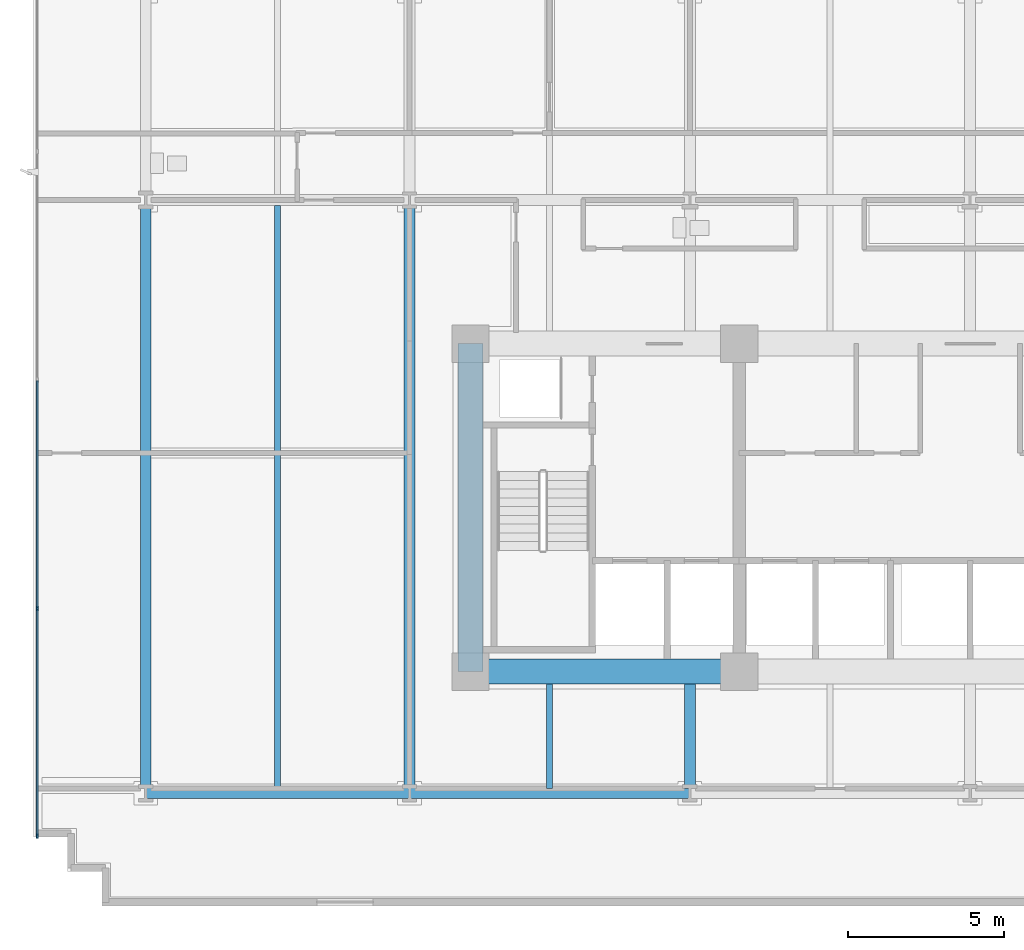
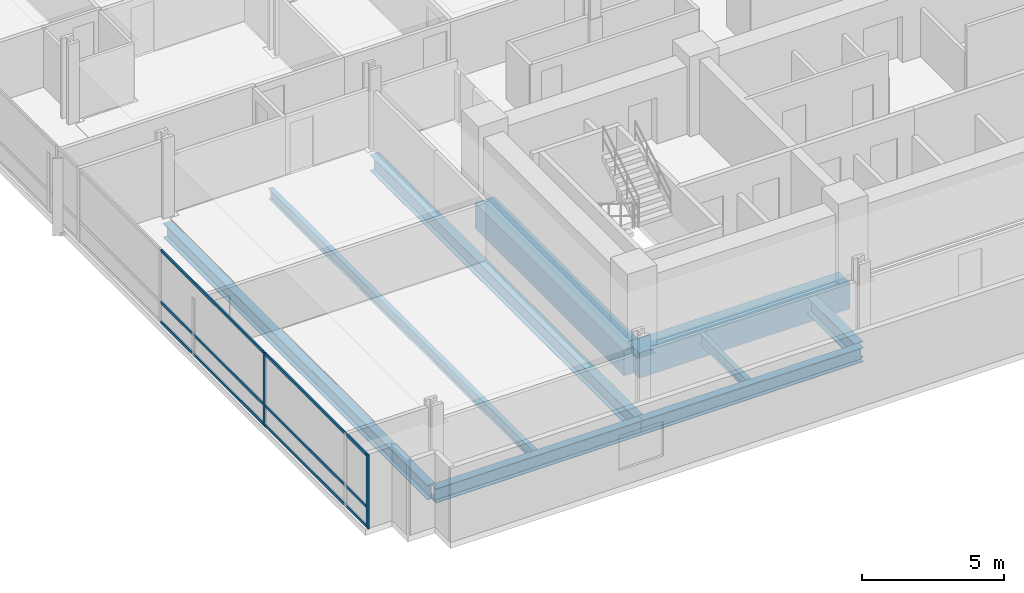
# One storey, part 2 of 21: 9 beams, 8 members, 1 element without a shape of its own.
"""IFC4 building model written with IfcOpenShell, lengths in metres."""

import ifcopenshell
import ifcopenshell.guid

model = None  # the IFC model being written
_history = None  # IfcOwnerHistory: only IFC2X3 demands one
_inside = {}  # id of a spatial element -> (the spatial element, [elements in it])
_under = {}  # id of a project, library or spatial element -> (it, [spatial elements below it])
_declared = {}  # id of a project -> (the project, [libraries it declares])
_typed = {}  # id of a type object -> (the type object, [elements of that type])
_made_of = {}  # id of a material, layer set ... -> (it, [elements and type objects made of it])


def new_model(schema):
    """Start an empty IFC model of exactly this schema.

    Asked for "IFC4X3", IfcOpenShell would pick the latest addendum, in which some entities
    have other attributes; the version numbers below select the first issue.
    IFC2X3 requires an IfcOwnerHistory on every rooted entity: one is made here for all.
    """
    global model, _history
    if schema == "IFC4X3":
        model = ifcopenshell.file(schema_version=(4, 3, 0, 0))
    else:
        model = ifcopenshell.file(schema=schema)
    _inside.clear()
    _under.clear()
    _declared.clear()
    _typed.clear()
    _made_of.clear()
    _history = None
    if model.schema == "IFC2X3":
        org = make("IfcOrganization", Name="unknown")
        user = make(
            "IfcPersonAndOrganization",
            ThePerson=make("IfcPerson", FamilyName="unknown"),
            TheOrganization=org,
        )
        app = make(
            "IfcApplication",
            ApplicationDeveloper=org,
            Version="unknown",
            ApplicationFullName="unknown",
            ApplicationIdentifier="unknown",
        )
        _history = make(
            "IfcOwnerHistory",
            OwningUser=user,
            OwningApplication=app,
            ChangeAction="ADDED",
            CreationDate=0,
        )
    return model


def make(cls, **values):
    """One entity of the class cls with the attributes given. An attribute that is None is left unset."""
    return model.create_entity(
        cls, **{name: value for name, value in values.items() if value is not None}
    )


def rooted(cls, **values):
    """An entity with a GlobalId (a new one), such as an element, a storey or a relation."""
    return make(cls, GlobalId=ifcopenshell.guid.new(), OwnerHistory=_history, **values)


def si_unit(unit_type, name, prefix=None):
    """IfcSIUnit, for example si_unit("LENGTHUNIT", "METRE", prefix="MILLI")."""
    return make("IfcSIUnit", UnitType=unit_type, Prefix=prefix, Name=name)


def assignment(units):
    """IfcUnitAssignment: the units of a project."""
    return None if units is None else make("IfcUnitAssignment", Units=units)


def point(xyz):
    """IfcCartesianPoint."""
    return None if xyz is None else make("IfcCartesianPoint", Coordinates=xyz)


def direction(xyz):
    """IfcDirection."""
    return None if xyz is None else make("IfcDirection", DirectionRatios=xyz)


def frame(location, z_axis=None, x_axis=None):
    """IfcAxis2Placement3D, a coordinate frame: its origin and axes. An axis left out is left unset."""
    return make(
        "IfcAxis2Placement3D",
        Location=point(location),
        Axis=direction(z_axis),
        RefDirection=direction(x_axis),
    )


def frame_2d(location, x_axis=None):
    """IfcAxis2Placement2D, a coordinate frame in the plane: its origin and x axis."""
    return make(
        "IfcAxis2Placement2D", Location=point(location), RefDirection=direction(x_axis)
    )


def origin():
    """The frame at (0, 0, 0) with its axes left unset."""
    return frame((0.0, 0.0, 0.0))


def origin_2d():
    """The frame at (0, 0) in the plane with its x axis left unset."""
    return frame_2d((0.0, 0.0))


def place(relative_to, where):
    """IfcLocalPlacement: puts the frame where relative to a parent placement (None: the world)."""
    return make(
        "IfcLocalPlacement", PlacementRelTo=relative_to, RelativePlacement=where
    )


def context(
    kind, dimensions, precision=None, world=None, true_north=None, identifier=None
):
    """IfcGeometricRepresentationContext, for example the 3D "Model" context."""
    return make(
        "IfcGeometricRepresentationContext",
        ContextIdentifier=identifier,
        ContextType=kind,
        CoordinateSpaceDimension=dimensions,
        Precision=precision,
        WorldCoordinateSystem=world,
        TrueNorth=true_north,
    )


def subcontext(parent, identifier, kind, view, scale=None):
    """IfcGeometricRepresentationSubContext, for example "Body" below "Model"."""
    return make(
        "IfcGeometricRepresentationSubContext",
        ContextIdentifier=identifier,
        ContextType=kind,
        ParentContext=parent,
        TargetScale=scale,
        TargetView=view,
    )


def project(units=None, contexts=None):
    """IfcProject with its units and contexts."""
    return rooted(
        "IfcProject",
        Name="project",
        RepresentationContexts=contexts,
        UnitsInContext=assignment(units),
    )


def spatial(cls, under=None, at=None, **own):
    """A site, building, storey or space (cls), placed at a placement, below another one or the project."""
    s = rooted(cls, ObjectPlacement=at, **own)
    if under is not None:
        _under.setdefault(under.id(), (under, []))[1].append(s)
    return s


def profile(cls, at=None, kind="AREA", **sizes):
    """A parametric profile (cls). Its sizes go by their IFC names, for example OverallWidth=200.0."""
    return make(cls, ProfileType=kind, Position=at, **sizes)


def rectangle(**sizes):
    """IfcRectangleProfileDef."""
    return profile("IfcRectangleProfileDef", **sizes)


def i_section(**sizes):
    """IfcIShapeProfileDef."""
    return profile("IfcIShapeProfileDef", **sizes)


def extrude(swept, where, along, depth):
    """IfcExtrudedAreaSolid: the profile swept, set in the frame where, extruded along a direction by depth."""
    return make(
        "IfcExtrudedAreaSolid",
        SweptArea=swept,
        Position=where,
        ExtrudedDirection=direction(along),
        Depth=depth,
    )


def shape(context_of_items, identifier, shape_type, items):
    """IfcShapeRepresentation: the items that make up one representation, for example the "Body"."""
    return make(
        "IfcShapeRepresentation",
        ContextOfItems=context_of_items,
        RepresentationIdentifier=identifier,
        RepresentationType=shape_type,
        Items=items,
    )


def material(Name=None, Category=None):
    """IfcMaterial."""
    return make("IfcMaterial", Name=Name, Category=Category)


def material_profile(
    of_material, cross_section, Name=None, Category=None, Priority=None
):
    """IfcMaterialProfile: a cross section and its material."""
    return make(
        "IfcMaterialProfile",
        Name=Name,
        Material=of_material,
        Profile=cross_section,
        Priority=Priority,
        Category=Category,
    )


def profile_set(profiles, Name=None, composite=None):
    """IfcMaterialProfileSet."""
    return make(
        "IfcMaterialProfileSet",
        Name=Name,
        MaterialProfiles=profiles,
        CompositeProfile=composite,
    )


def made_of(thing, what):
    """Note that an element or type object is made of a material, layer set ...; save() writes the relation."""
    if what is not None:
        _made_of.setdefault(what.id(), (what, []))[1].append(thing)
    return thing


def type_object(cls, material=None, **own):
    """A type object (cls), such as IfcWallType, which elements share."""
    return made_of(rooted(cls, **own), material)


def element(
    cls,
    number,
    at=None,
    inside=None,
    cuts=None,
    type_object=None,
    material=None,
    context=None,
    identifier="Body",
    shape_type=None,
    held_by="IfcProductDefinitionShape",
    body=None,
    shapes=None,
    **own,
):
    """One element of the class cls, such as IfcWall. Its Tag is "e" and its number.

    at: its placement. inside: the storey or other place that contains it. cuts: it is an
    opening in that element (IfcRelVoidsElement). A single representation is given by context,
    identifier, shape_type and body (its items); several are given by shapes. held_by: the class
    of the entity that holds the representations. save() writes the other relations.
    """
    e = rooted(cls, Tag="e%d" % number, ObjectPlacement=at, **own)
    if body is not None:
        shapes = [shape(context, identifier, shape_type, body)]
    if shapes is not None:
        e.Representation = make(held_by, Representations=shapes)
    if inside is not None:
        _inside.setdefault(inside.id(), (inside, []))[1].append(e)
    if cuts is not None:
        rooted(
            "IfcRelVoidsElement", RelatingBuildingElement=cuts, RelatedOpeningElement=e
        )
    if type_object is not None:
        _typed.setdefault(type_object.id(), (type_object, []))[1].append(e)
    return made_of(e, material)


def aggregate(whole, parts):
    """IfcRelAggregates: a whole, such as a stair, and the parts it consists of."""
    return rooted("IfcRelAggregates", RelatingObject=whole, RelatedObjects=parts)


def save(model, path):
    """Write the relations noted so far, then the file.

    IfcRelAggregates (storeys below a building ...), IfcRelContainedInSpatialStructure (elements
    in a storey), IfcRelDefinesByType, IfcRelAssociatesMaterial and IfcRelDeclares: one each for
    every whole, place, type object, material and project.
    """
    for whole, parts in _under.values():
        aggregate(whole, parts)
    for where, things in _inside.values():
        rooted(
            "IfcRelContainedInSpatialStructure",
            RelatedElements=things,
            RelatingStructure=where,
        )
    for kind, things in _typed.values():
        rooted("IfcRelDefinesByType", RelatedObjects=things, RelatingType=kind)
    for what, things in _made_of.values():
        rooted("IfcRelAssociatesMaterial", RelatedObjects=things, RelatingMaterial=what)
    for by, libraries in _declared.values():
        rooted("IfcRelDeclares", RelatingContext=by, RelatedDefinitions=libraries)
    model.write(path)


model = new_model("IFC4")

# Units and contexts
model_context = context("Model", 3, precision=1e-05, world=origin(), true_north=direction((0.0, 1.0)))
body_context = subcontext(model_context, "Body", "Model", "MODEL_VIEW")
ifc_project = project(units=[si_unit("LENGTHUNIT", "METRE"), si_unit("AREAUNIT", "SQUARE_METRE"), si_unit("VOLUMEUNIT", "CUBIC_METRE"), si_unit("PLANEANGLEUNIT", "RADIAN"), si_unit("MASSUNIT", "GRAM", prefix="KILO")], contexts=[model_context])

# Site, building, storey
site_placement = place(None, origin())
site = spatial("IfcSite", under=ifc_project, at=site_placement, CompositionType="ELEMENT")
building_placement = place(site_placement, origin())
building = spatial("IfcBuilding", under=site, at=building_placement, Name="Solmavex Isthmus Hotel", CompositionType="ELEMENT")
storey_placement = place(building_placement, frame((0.0, 0.0, 60.89990234375)))
storey = spatial("IfcBuildingStorey", under=building, at=storey_placement, Name="L16", CompositionType="ELEMENT", Elevation=60.89990234375)

# Beams
ifc_material_1 = material(Name="Steel ASTM A992 Grade 50", Category="steel")
ifc_material_profile_1 = material_profile(ifc_material_1, i_section(OverallWidth=0.354736328125, OverallDepth=0.695556640625, WebThickness=0.015380859375, FlangeThickness=0.02490234375, FilletRadius=0.017822265625, at=origin_2d()), Name="W27X146")
ifc_profile_set_1 = profile_set([ifc_material_profile_1], Name="Steel ASTM A992 Grade 50")
beam_type_1 = type_object("IfcBeamType", Name="BM-BG-W27X146", PredefinedType="BEAM", material=ifc_profile_set_1)
beam_1_placement = place(storey_placement, frame((-17.951904296875, -16.73681640625, -0.607666015625), z_axis=(0.0, 1.0, 0.0), x_axis=(-1.0, 0.0, 0.0)))
element("IfcBeam", 1, at=beam_1_placement, inside=storey, type_object=beam_type_1, Name="Floor Beam L16-VG28", PredefinedType="BEAM", context=body_context, shape_type="SweptSolid", body=[
    extrude(i_section(OverallWidth=0.354736328125, OverallDepth=0.695556640625, WebThickness=0.015380859375, FlangeThickness=0.02490234375, FilletRadius=0.017822265625, at=origin_2d()), origin(), (0.0, 0.0, 1.0), 18.659423828125),
])
beam_2_placement = place(storey_placement, frame((-8.97607421875, -16.73681640625, -0.607666015625), z_axis=(0.0, 1.0, 0.0), x_axis=(-1.0, 0.0, 0.0)))
element("IfcBeam", 2, at=beam_2_placement, inside=storey, type_object=beam_type_1, Name="Floor Beam L16-VG31", PredefinedType="BEAM", context=body_context, shape_type="SweptSolid", body=[
    extrude(i_section(OverallWidth=0.354736328125, OverallDepth=0.695556640625, WebThickness=0.015380859375, FlangeThickness=0.02490234375, FilletRadius=0.017822265625, at=origin_2d()), origin(), (0.0, 0.0, 1.0), 3.3369140625),
])
ifc_material_profile_2 = material_profile(ifc_material_1, i_section(OverallWidth=0.1904296875, OverallDepth=0.456787109375, WebThickness=0.009033203125, FlangeThickness=0.014404296875, FilletRadius=0.0126953125, at=origin_2d()), Name="W18X50")
ifc_profile_set_2 = profile_set([ifc_material_profile_2], Name="Steel ASTM A992 Grade 50")
beam_type_2 = type_object("IfcBeamType", Name="BM-BJ-W18X50", PredefinedType="JOIST", material=ifc_profile_set_2)
beam_3_placement = place(storey_placement, frame((-22.176025390625, -16.73681640625, -0.48828125), z_axis=(0.0, 1.0, 0.0), x_axis=(-1.0, 0.0, 0.0)))
element("IfcBeam", 3, at=beam_3_placement, inside=storey, type_object=beam_type_2, Name="Secondary Floor Joist L16-J01", PredefinedType="JOIST", context=body_context, shape_type="SweptSolid", body=[
    extrude(i_section(OverallWidth=0.1904296875, OverallDepth=0.456787109375, WebThickness=0.009033203125, FlangeThickness=0.014404296875, FilletRadius=0.0126953125, at=origin_2d()), origin(), (0.0, 0.0, 1.0), 18.659423828125),
])
beam_4_placement = place(storey_placement, frame((-13.464111328125, -16.73681640625, -0.48828125), z_axis=(0.0, 1.0, 0.0), x_axis=(-1.0, 0.0, 0.0)))
element("IfcBeam", 4, at=beam_4_placement, inside=storey, type_object=beam_type_2, Name="Secondary Floor Joist L16-J04", PredefinedType="JOIST", context=body_context, shape_type="SweptSolid", body=[
    extrude(i_section(OverallWidth=0.1904296875, OverallDepth=0.456787109375, WebThickness=0.009033203125, FlangeThickness=0.014404296875, FilletRadius=0.0126953125, at=origin_2d()), origin(), (0.0, 0.0, 1.0), 3.3369140625),
])
ifc_material_2 = material(Name="Concrete C70/85", Category="concrete")
ifc_material_profile_3 = material_profile(ifc_material_2, rectangle(XDim=0.800048828125, YDim=1.10009765625, at=origin_2d()), Name="RC800X1100")
ifc_profile_set_3 = profile_set([ifc_material_profile_3], Name="Concrete C70/85")
beam_type_3 = type_object("IfcBeamType", Name="BM-CB-800X1100", PredefinedType="BEAM", material=ifc_profile_set_3)
beam_5_placement = place(storey_placement, frame((-16.0, -13.0, -0.809814453125), z_axis=(1.0, 0.0, 0.0), x_axis=(0.0, 1.0, 0.0)))
element("IfcBeam", 5, at=beam_5_placement, inside=storey, type_object=beam_type_3, Name="Core Coupling Beam L16-CB1", PredefinedType="BEAM", context=body_context, shape_type="SweptSolid", body=[
    extrude(rectangle(XDim=0.800048828125, YDim=1.10009765625, at=origin_2d()), origin(), (0.0, 0.0, 1.0), 8.60009765625),
])
beam_6_placement = place(storey_placement, frame((-16.0, -13.0, -0.809814453125), z_axis=(0.0, 1.0, 0.0), x_axis=(-1.0, 0.0, 0.0)))
element("IfcBeam", 6, at=beam_6_placement, inside=storey, type_object=beam_type_3, Name="Core Coupling Beam L16-CB7", PredefinedType="BEAM", context=body_context, shape_type="SweptSolid", body=[
    extrude(rectangle(XDim=0.800048828125, YDim=1.10009765625, at=origin_2d()), origin(), (0.0, 0.0, 1.0), 10.5),
])
ifc_material_profile_4 = material_profile(ifc_material_1, i_section(OverallWidth=0.326416015625, OverallDepth=0.621826171875, WebThickness=0.015380859375, FlangeThickness=0.0244140625, FilletRadius=0.01513671875, at=origin_2d()), Name="W24X131")
ifc_profile_set_4 = profile_set([ifc_material_profile_4], Name="Steel ASTM A992 Grade 50")
beam_type_4 = type_object("IfcBeamType", Name="BM-SP-W24X131", PredefinedType="SPANDREL", material=ifc_profile_set_4)
beam_7_placement = place(storey_placement, frame((-26.39990234375, -16.89990234375, -0.57080078125), z_axis=(1.0, 0.0, 0.0), x_axis=(0.0, 1.0, 0.0)))
element("IfcBeam", 7, at=beam_7_placement, inside=storey, type_object=beam_type_4, Name="Floor Girder L16-UG01", PredefinedType="SPANDREL", context=body_context, shape_type="SweptSolid", body=[
    extrude(i_section(OverallWidth=0.326416015625, OverallDepth=0.621826171875, WebThickness=0.015380859375, FlangeThickness=0.0244140625, FilletRadius=0.01513671875, at=origin_2d()), origin(), (0.0, 0.0, 1.0), 8.447998046875),
])
beam_8_placement = place(storey_placement, frame((-17.951904296875, -16.89990234375, -0.57080078125), z_axis=(1.0, 0.0, 0.0), x_axis=(0.0, 1.0, 0.0)))
element("IfcBeam", 8, at=beam_8_placement, inside=storey, type_object=beam_type_4, Name="Floor Girder L16-UG02", PredefinedType="SPANDREL", context=body_context, shape_type="SweptSolid", body=[
    extrude(i_section(OverallWidth=0.326416015625, OverallDepth=0.621826171875, WebThickness=0.015380859375, FlangeThickness=0.0244140625, FilletRadius=0.01513671875, at=origin_2d()), origin(), (0.0, 0.0, 1.0), 8.975830078125),
])
beam_9_placement = place(storey_placement, frame((-26.39990234375, -16.73681640625, -0.57080078125), z_axis=(0.0, 1.0, 0.0), x_axis=(-1.0, 0.0, 0.0)))
element("IfcBeam", 9, at=beam_9_placement, inside=storey, type_object=beam_type_4, Name="Floor Beam L16-VG25", PredefinedType="SPANDREL", context=body_context, shape_type="SweptSolid", body=[
    extrude(i_section(OverallWidth=0.326416015625, OverallDepth=0.621826171875, WebThickness=0.015380859375, FlangeThickness=0.0244140625, FilletRadius=0.01513671875, at=origin_2d()), origin(), (0.0, 0.0, 1.0), 18.659423828125),
])

# Curtain wall, members
ifc_material_3 = material(Name="Aluminium alloy 6063-T6", Category="aluminium")
curtain_wall_type = type_object("IfcCurtainWallType", Name="CW-SYS-06", PredefinedType="NOTDEFINED", material=ifc_material_3)
curtain_wall_placement = place(storey_placement, origin())
curtain_wall = element("IfcCurtainWall", 10, at=curtain_wall_placement, inside=storey, type_object=curtain_wall_type, Name="Stick Curtain Wall CWL-L16-W1", PredefinedType="NOTDEFINED")
ifc_material_profile_5 = material_profile(ifc_material_3, rectangle(XDim=0.06005859375, YDim=0.139892578125, at=origin_2d()), Name="CWM-60X140")
ifc_profile_set_5 = profile_set([ifc_material_profile_5], Name="Aluminium alloy 6063-T6")
member_type_1 = type_object("IfcMemberType", Name="CW-SYS-06-MUL", PredefinedType="MULLION", material=ifc_profile_set_5)
member_1_placement = place(storey_placement, frame((-29.8798828125, -18.27001953125, 0.0), z_axis=(0.0, 0.0, 1.0), x_axis=(-1.0, 0.0, 0.0)))
member_1 = element("IfcMember", 11, at=member_1_placement, type_object=member_type_1, Name="CW-06 mullion 1", PredefinedType="MULLION", context=body_context, shape_type="SweptSolid", body=[
    extrude(rectangle(XDim=0.06005859375, YDim=0.139892578125, at=origin_2d()), origin(), (0.0, 0.0, 1.0), 3.190185546875),
])
member_2_placement = place(storey_placement, frame((-29.8798828125, -10.97998046875, 0.0), z_axis=(0.0, 0.0, 1.0), x_axis=(-1.0, 0.0, 0.0)))
member_2 = element("IfcMember", 12, at=member_2_placement, type_object=member_type_1, Name="CW-06 mullion 2", PredefinedType="MULLION", context=body_context, shape_type="SweptSolid", body=[
    extrude(rectangle(XDim=0.06005859375, YDim=0.139892578125, at=origin_2d()), origin(), (0.0, 0.0, 1.0), 3.190185546875),
])
ifc_material_profile_6 = material_profile(ifc_material_3, rectangle(XDim=0.06005859375, YDim=0.114990234375, at=origin_2d()), Name="CWT-60X115")
ifc_profile_set_6 = profile_set([ifc_material_profile_6], Name="Aluminium alloy 6063-T6")
member_type_2 = type_object("IfcMemberType", Name="CW-SYS-06-TRN", PredefinedType="USERDEFINED", material=ifc_profile_set_6)
member_3_placement = place(storey_placement, frame((-29.8798828125, -18.239990234375, 0.0576171875), z_axis=(0.0, 1.0, 0.0), x_axis=(-1.0, 0.0, 0.0)))
member_3 = element("IfcMember", 13, at=member_3_placement, type_object=member_type_2, Name="CW-06 transom 1.1", ObjectType="TRANSOM", PredefinedType="USERDEFINED", context=body_context, shape_type="SweptSolid", body=[
    extrude(rectangle(XDim=0.06005859375, YDim=0.114990234375, at=origin_2d()), origin(), (0.0, 0.0, 1.0), 7.22998046875),
])
member_4_placement = place(storey_placement, frame((-29.8798828125, -18.239990234375, 0.900146484375), z_axis=(0.0, 1.0, 0.0), x_axis=(-1.0, 0.0, 0.0)))
member_4 = element("IfcMember", 14, at=member_4_placement, type_object=member_type_2, Name="CW-06 transom 1.2", ObjectType="TRANSOM", PredefinedType="USERDEFINED", context=body_context, shape_type="SweptSolid", body=[
    extrude(rectangle(XDim=0.06005859375, YDim=0.114990234375, at=origin_2d()), origin(), (0.0, 0.0, 1.0), 7.22998046875),
])
member_5_placement = place(storey_placement, frame((-29.8798828125, -18.239990234375, 3.132568359375), z_axis=(0.0, 1.0, 0.0), x_axis=(-1.0, 0.0, 0.0)))
member_5 = element("IfcMember", 15, at=member_5_placement, type_object=member_type_2, Name="CW-06 transom 1.3", ObjectType="TRANSOM", PredefinedType="USERDEFINED", context=body_context, shape_type="SweptSolid", body=[
    extrude(rectangle(XDim=0.06005859375, YDim=0.114990234375, at=origin_2d()), origin(), (0.0, 0.0, 1.0), 7.22998046875),
])
member_6_placement = place(storey_placement, frame((-29.8798828125, -10.949951171875, 0.0576171875), z_axis=(0.0, 1.0, 0.0), x_axis=(-1.0, 0.0, 0.0)))
member_6 = element("IfcMember", 16, at=member_6_placement, type_object=member_type_2, Name="CW-06 transom 2.1", ObjectType="TRANSOM", PredefinedType="USERDEFINED", context=body_context, shape_type="SweptSolid", body=[
    extrude(rectangle(XDim=0.06005859375, YDim=0.114990234375, at=origin_2d()), origin(), (0.0, 0.0, 1.0), 7.260009765625),
])
member_7_placement = place(storey_placement, frame((-29.8798828125, -10.949951171875, 0.900146484375), z_axis=(0.0, 1.0, 0.0), x_axis=(-1.0, 0.0, 0.0)))
member_7 = element("IfcMember", 17, at=member_7_placement, type_object=member_type_2, Name="CW-06 transom 2.2", ObjectType="TRANSOM", PredefinedType="USERDEFINED", context=body_context, shape_type="SweptSolid", body=[
    extrude(rectangle(XDim=0.06005859375, YDim=0.114990234375, at=origin_2d()), origin(), (0.0, 0.0, 1.0), 7.260009765625),
])
member_8_placement = place(storey_placement, frame((-29.8798828125, -10.949951171875, 3.132568359375), z_axis=(0.0, 1.0, 0.0), x_axis=(-1.0, 0.0, 0.0)))
member_8 = element("IfcMember", 18, at=member_8_placement, type_object=member_type_2, Name="CW-06 transom 2.3", ObjectType="TRANSOM", PredefinedType="USERDEFINED", context=body_context, shape_type="SweptSolid", body=[
    extrude(rectangle(XDim=0.06005859375, YDim=0.114990234375, at=origin_2d()), origin(), (0.0, 0.0, 1.0), 7.260009765625),
])
aggregate(curtain_wall, [member_1, member_2, member_3, member_4, member_5, member_6, member_7, member_8])

save(model, "model.ifc")
